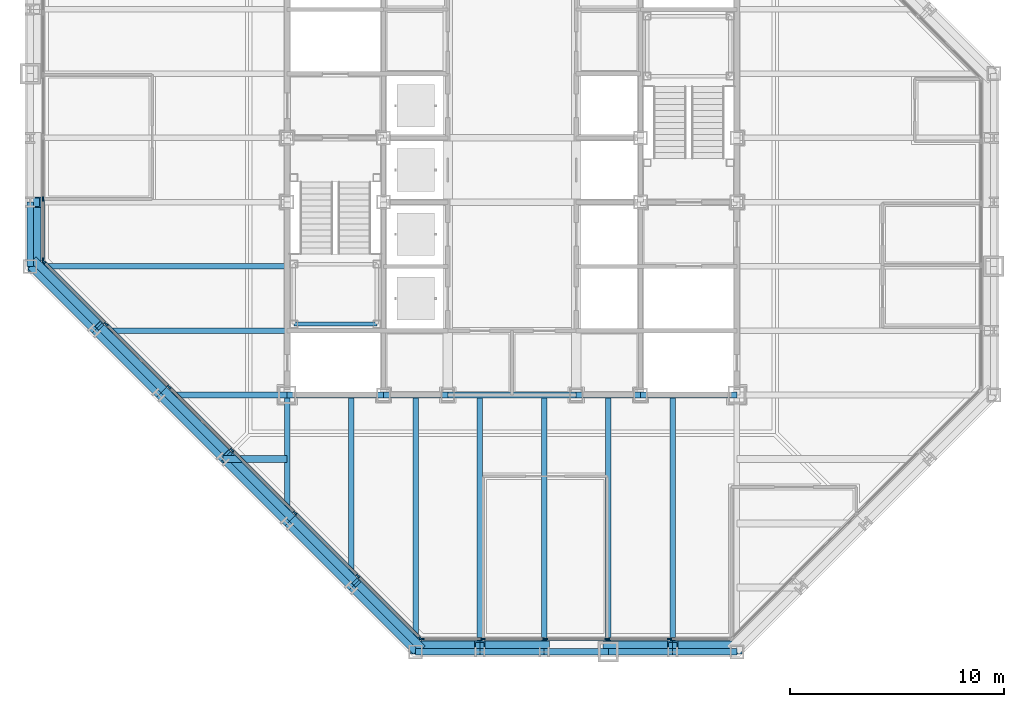
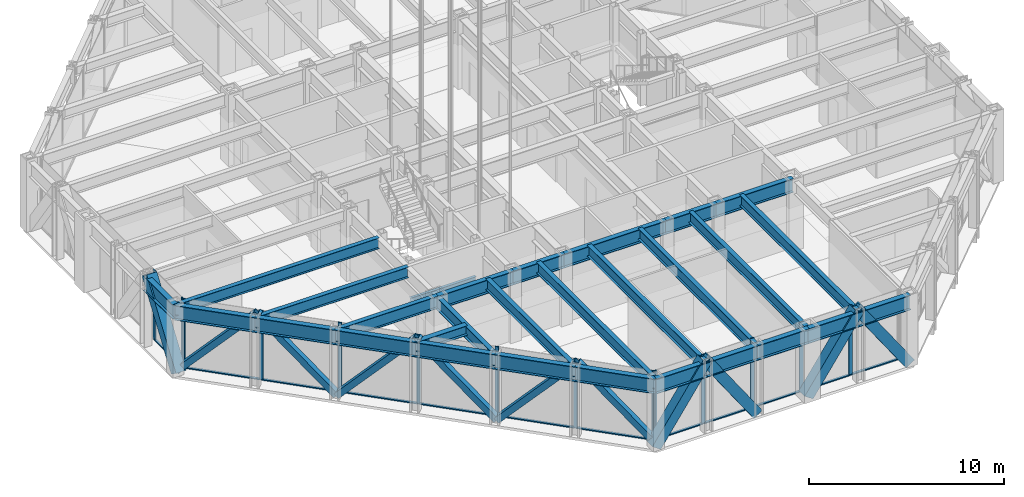
# One storey, part 4 of 24: 37 members, 29 beams, 3 elements without a shape of their own.
"""IFC4 building model written with IfcOpenShell, lengths in metres."""

import ifcopenshell
import ifcopenshell.guid

model = None  # the IFC model being written
_history = None  # IfcOwnerHistory: only IFC2X3 demands one
_inside = {}  # id of a spatial element -> (the spatial element, [elements in it])
_under = {}  # id of a project, library or spatial element -> (it, [spatial elements below it])
_declared = {}  # id of a project -> (the project, [libraries it declares])
_typed = {}  # id of a type object -> (the type object, [elements of that type])
_made_of = {}  # id of a material, layer set ... -> (it, [elements and type objects made of it])


def new_model(schema):
    """Start an empty IFC model of exactly this schema.

    Asked for "IFC4X3", IfcOpenShell would pick the latest addendum, in which some entities
    have other attributes; the version numbers below select the first issue.
    IFC2X3 requires an IfcOwnerHistory on every rooted entity: one is made here for all.
    """
    global model, _history
    if schema == "IFC4X3":
        model = ifcopenshell.file(schema_version=(4, 3, 0, 0))
    else:
        model = ifcopenshell.file(schema=schema)
    _inside.clear()
    _under.clear()
    _declared.clear()
    _typed.clear()
    _made_of.clear()
    _history = None
    if model.schema == "IFC2X3":
        org = make("IfcOrganization", Name="unknown")
        user = make(
            "IfcPersonAndOrganization",
            ThePerson=make("IfcPerson", FamilyName="unknown"),
            TheOrganization=org,
        )
        app = make(
            "IfcApplication",
            ApplicationDeveloper=org,
            Version="unknown",
            ApplicationFullName="unknown",
            ApplicationIdentifier="unknown",
        )
        _history = make(
            "IfcOwnerHistory",
            OwningUser=user,
            OwningApplication=app,
            ChangeAction="ADDED",
            CreationDate=0,
        )
    return model


def make(cls, **values):
    """One entity of the class cls with the attributes given. An attribute that is None is left unset."""
    return model.create_entity(
        cls, **{name: value for name, value in values.items() if value is not None}
    )


def rooted(cls, **values):
    """An entity with a GlobalId (a new one), such as an element, a storey or a relation."""
    return make(cls, GlobalId=ifcopenshell.guid.new(), OwnerHistory=_history, **values)


def si_unit(unit_type, name, prefix=None):
    """IfcSIUnit, for example si_unit("LENGTHUNIT", "METRE", prefix="MILLI")."""
    return make("IfcSIUnit", UnitType=unit_type, Prefix=prefix, Name=name)


def assignment(units):
    """IfcUnitAssignment: the units of a project."""
    return None if units is None else make("IfcUnitAssignment", Units=units)


def point(xyz):
    """IfcCartesianPoint."""
    return None if xyz is None else make("IfcCartesianPoint", Coordinates=xyz)


def direction(xyz):
    """IfcDirection."""
    return None if xyz is None else make("IfcDirection", DirectionRatios=xyz)


def frame(location, z_axis=None, x_axis=None):
    """IfcAxis2Placement3D, a coordinate frame: its origin and axes. An axis left out is left unset."""
    return make(
        "IfcAxis2Placement3D",
        Location=point(location),
        Axis=direction(z_axis),
        RefDirection=direction(x_axis),
    )


def frame_2d(location, x_axis=None):
    """IfcAxis2Placement2D, a coordinate frame in the plane: its origin and x axis."""
    return make(
        "IfcAxis2Placement2D", Location=point(location), RefDirection=direction(x_axis)
    )


def origin():
    """The frame at (0, 0, 0) with its axes left unset."""
    return frame((0.0, 0.0, 0.0))


def origin_2d():
    """The frame at (0, 0) in the plane with its x axis left unset."""
    return frame_2d((0.0, 0.0))


def place(relative_to, where):
    """IfcLocalPlacement: puts the frame where relative to a parent placement (None: the world)."""
    return make(
        "IfcLocalPlacement", PlacementRelTo=relative_to, RelativePlacement=where
    )


def context(
    kind, dimensions, precision=None, world=None, true_north=None, identifier=None
):
    """IfcGeometricRepresentationContext, for example the 3D "Model" context."""
    return make(
        "IfcGeometricRepresentationContext",
        ContextIdentifier=identifier,
        ContextType=kind,
        CoordinateSpaceDimension=dimensions,
        Precision=precision,
        WorldCoordinateSystem=world,
        TrueNorth=true_north,
    )


def subcontext(parent, identifier, kind, view, scale=None):
    """IfcGeometricRepresentationSubContext, for example "Body" below "Model"."""
    return make(
        "IfcGeometricRepresentationSubContext",
        ContextIdentifier=identifier,
        ContextType=kind,
        ParentContext=parent,
        TargetScale=scale,
        TargetView=view,
    )


def project(units=None, contexts=None):
    """IfcProject with its units and contexts."""
    return rooted(
        "IfcProject",
        Name="project",
        RepresentationContexts=contexts,
        UnitsInContext=assignment(units),
    )


def spatial(cls, under=None, at=None, **own):
    """A site, building, storey or space (cls), placed at a placement, below another one or the project."""
    s = rooted(cls, ObjectPlacement=at, **own)
    if under is not None:
        _under.setdefault(under.id(), (under, []))[1].append(s)
    return s


def profile(cls, at=None, kind="AREA", **sizes):
    """A parametric profile (cls). Its sizes go by their IFC names, for example OverallWidth=200.0."""
    return make(cls, ProfileType=kind, Position=at, **sizes)


def rectangle(**sizes):
    """IfcRectangleProfileDef."""
    return profile("IfcRectangleProfileDef", **sizes)


def hollow_rectangle(**sizes):
    """IfcRectangleHollowProfileDef."""
    return profile("IfcRectangleHollowProfileDef", **sizes)


def i_section(**sizes):
    """IfcIShapeProfileDef."""
    return profile("IfcIShapeProfileDef", **sizes)


def extrude(swept, where, along, depth):
    """IfcExtrudedAreaSolid: the profile swept, set in the frame where, extruded along a direction by depth."""
    return make(
        "IfcExtrudedAreaSolid",
        SweptArea=swept,
        Position=where,
        ExtrudedDirection=direction(along),
        Depth=depth,
    )


def shape(context_of_items, identifier, shape_type, items):
    """IfcShapeRepresentation: the items that make up one representation, for example the "Body"."""
    return make(
        "IfcShapeRepresentation",
        ContextOfItems=context_of_items,
        RepresentationIdentifier=identifier,
        RepresentationType=shape_type,
        Items=items,
    )


def material(Name=None, Category=None):
    """IfcMaterial."""
    return make("IfcMaterial", Name=Name, Category=Category)


def layer(
    of_material, thickness, ventilated=None, Name=None, Category=None, Priority=None
):
    """IfcMaterialLayer: one layer of a wall or slab, of a material (None: an air gap)."""
    return make(
        "IfcMaterialLayer",
        Material=of_material,
        LayerThickness=thickness,
        IsVentilated=ventilated,
        Name=Name,
        Category=Category,
        Priority=Priority,
    )


def layer_set(layers, Name=None):
    """IfcMaterialLayerSet."""
    return make("IfcMaterialLayerSet", MaterialLayers=layers, LayerSetName=Name)


def material_profile(
    of_material, cross_section, Name=None, Category=None, Priority=None
):
    """IfcMaterialProfile: a cross section and its material."""
    return make(
        "IfcMaterialProfile",
        Name=Name,
        Material=of_material,
        Profile=cross_section,
        Priority=Priority,
        Category=Category,
    )


def profile_set(profiles, Name=None, composite=None):
    """IfcMaterialProfileSet."""
    return make(
        "IfcMaterialProfileSet",
        Name=Name,
        MaterialProfiles=profiles,
        CompositeProfile=composite,
    )


def made_of(thing, what):
    """Note that an element or type object is made of a material, layer set ...; save() writes the relation."""
    if what is not None:
        _made_of.setdefault(what.id(), (what, []))[1].append(thing)
    return thing


def type_object(cls, material=None, **own):
    """A type object (cls), such as IfcWallType, which elements share."""
    return made_of(rooted(cls, **own), material)


def element(
    cls,
    number,
    at=None,
    inside=None,
    cuts=None,
    type_object=None,
    material=None,
    context=None,
    identifier="Body",
    shape_type=None,
    held_by="IfcProductDefinitionShape",
    body=None,
    shapes=None,
    **own,
):
    """One element of the class cls, such as IfcWall. Its Tag is "e" and its number.

    at: its placement. inside: the storey or other place that contains it. cuts: it is an
    opening in that element (IfcRelVoidsElement). A single representation is given by context,
    identifier, shape_type and body (its items); several are given by shapes. held_by: the class
    of the entity that holds the representations. save() writes the other relations.
    """
    e = rooted(cls, Tag="e%d" % number, ObjectPlacement=at, **own)
    if body is not None:
        shapes = [shape(context, identifier, shape_type, body)]
    if shapes is not None:
        e.Representation = make(held_by, Representations=shapes)
    if inside is not None:
        _inside.setdefault(inside.id(), (inside, []))[1].append(e)
    if cuts is not None:
        rooted(
            "IfcRelVoidsElement", RelatingBuildingElement=cuts, RelatedOpeningElement=e
        )
    if type_object is not None:
        _typed.setdefault(type_object.id(), (type_object, []))[1].append(e)
    return made_of(e, material)


def aggregate(whole, parts):
    """IfcRelAggregates: a whole, such as a stair, and the parts it consists of."""
    return rooted("IfcRelAggregates", RelatingObject=whole, RelatedObjects=parts)


def save(model, path):
    """Write the relations noted so far, then the file.

    IfcRelAggregates (storeys below a building ...), IfcRelContainedInSpatialStructure (elements
    in a storey), IfcRelDefinesByType, IfcRelAssociatesMaterial and IfcRelDeclares: one each for
    every whole, place, type object, material and project.
    """
    for whole, parts in _under.values():
        aggregate(whole, parts)
    for where, things in _inside.values():
        rooted(
            "IfcRelContainedInSpatialStructure",
            RelatedElements=things,
            RelatingStructure=where,
        )
    for kind, things in _typed.values():
        rooted("IfcRelDefinesByType", RelatedObjects=things, RelatingType=kind)
    for what, things in _made_of.values():
        rooted("IfcRelAssociatesMaterial", RelatedObjects=things, RelatingMaterial=what)
    for by, libraries in _declared.values():
        rooted("IfcRelDeclares", RelatingContext=by, RelatedDefinitions=libraries)
    model.write(path)


model = new_model("IFC4")

# Units and contexts
model_context = context("Model", 3, precision=1e-05, world=origin(), true_north=direction((0.0, 1.0)))
body_context = subcontext(model_context, "Body", "Model", "MODEL_VIEW")
ifc_project = project(units=[si_unit("LENGTHUNIT", "METRE"), si_unit("AREAUNIT", "SQUARE_METRE"), si_unit("VOLUMEUNIT", "CUBIC_METRE"), si_unit("PLANEANGLEUNIT", "RADIAN"), si_unit("MASSUNIT", "GRAM", prefix="KILO")], contexts=[model_context])

# Site, building, storey
site_placement = place(None, origin())
site = spatial("IfcSite", under=ifc_project, at=site_placement, CompositionType="ELEMENT")
building_placement = place(site_placement, origin())
building = spatial("IfcBuilding", under=site, at=building_placement, Name="Chuquiago Exchange Tower", CompositionType="ELEMENT")
storey_placement = place(building_placement, frame((0.0, 0.0, 180.0)))
storey = spatial("IfcBuildingStorey", under=building, at=storey_placement, Name="L39", CompositionType="ELEMENT", Elevation=180.0)

# Beams
ifc_material_1 = material(Name="Steel ASTM A992", Category="steel")
ifc_material_profile_1 = material_profile(ifc_material_1, i_section(OverallWidth=0.25390625, OverallDepth=0.683349609375, WebThickness=0.012451171875, FlangeThickness=0.018798828125, at=origin_2d()), Name="W27X94")
ifc_profile_set_1 = profile_set([ifc_material_profile_1], Name="Steel ASTM A992")
beam_type_1 = type_object("IfcBeamType", Name="B1 W27X94", PredefinedType="BEAM", material=ifc_profile_set_1)
beam_1_placement = place(storey_placement, frame((15.0, 12.0, 3.998291015625), z_axis=(0.0, -1.0, 0.0), x_axis=(1.0, 0.0, 0.0)))
element("IfcBeam", 1, at=beam_1_placement, inside=storey, type_object=beam_type_1, Name="FB-L40-infill-15_12-15_3-0", PredefinedType="BEAM", context=body_context, shape_type="SweptSolid", body=[
    extrude(i_section(OverallWidth=0.25390625, OverallDepth=0.683349609375, WebThickness=0.012451171875, FlangeThickness=0.018798828125, at=origin_2d()), origin(), (0.0, 0.0, 1.0), 9.0),
])
for number, where, z_axis, x_axis, name in (
    (2, (18.0, 12.0, 3.998291015625), (0.0, -1.0, 0.0), (1.0, 0.0, 0.0), "FB-L40-infill-18_12-18_-0-0"),
    (3, (21.0, 12.0, 3.998291015625), (0.0, -1.0, 0.0), (1.0, 0.0, 0.0), "FB-L40-infill-21_12-21_-0-0"),
    (4, (24.0, 12.0, 3.998291015625), (0.0, -1.0, 0.0), (1.0, 0.0, 0.0), "FB-L40-infill-24_12-24_-0-0"),
    (5, (27.0, 12.0, 3.998291015625), (0.0, -1.0, 0.0), (1.0, 0.0, 0.0), "FB-L40-infill-27_12-27_-0-0"),
    (6, (30.0, 12.0, 3.998291015625), (0.0, -1.0, 0.0), (1.0, 0.0, 0.0), "FB-L40-infill-30_12-30_-0-0"),
):
    element("IfcBeam", number, at=place(storey_placement, frame(where, z_axis=z_axis, x_axis=x_axis)), inside=storey, type_object=beam_type_1, Name=name, PredefinedType="BEAM", context=body_context, shape_type="SweptSolid", body=[
        extrude(i_section(OverallWidth=0.25390625, OverallDepth=0.683349609375, WebThickness=0.012451171875, FlangeThickness=0.018798828125, at=origin_2d()), origin(), (0.0, 0.0, 1.0), 12.0),
    ])
beam_2_placement = place(storey_placement, frame((12.0, 15.0, 3.998291015625), z_axis=(-1.0, 0.0, 0.0), x_axis=(0.0, -1.0, 0.0)))
element("IfcBeam", 7, at=beam_2_placement, inside=storey, type_object=beam_type_1, Name="FB-L40-infill-12_15-3_15-0", PredefinedType="BEAM", context=body_context, shape_type="SweptSolid", body=[
    extrude(i_section(OverallWidth=0.25390625, OverallDepth=0.683349609375, WebThickness=0.012451171875, FlangeThickness=0.018798828125, at=origin_2d()), origin(), (0.0, 0.0, 1.0), 9.0),
])
beam_3_placement = place(storey_placement, frame((12.0, 18.0, 3.998291015625), z_axis=(-1.0, 0.0, 0.0), x_axis=(0.0, -1.0, 0.0)))
element("IfcBeam", 8, at=beam_3_placement, inside=storey, type_object=beam_type_1, Name="FB-L40-infill-12_18--0_18-0", PredefinedType="BEAM", context=body_context, shape_type="SweptSolid", body=[
    extrude(i_section(OverallWidth=0.25390625, OverallDepth=0.683349609375, WebThickness=0.012451171875, FlangeThickness=0.018798828125, at=origin_2d()), origin(), (0.0, 0.0, 1.0), 12.0),
])
ifc_material_2 = material(Name="Steel ASTM A992", Category="steel")
ifc_material_profile_2 = material_profile(ifc_material_2, i_section(OverallWidth=0.3251953125, OverallDepth=0.612060546875, WebThickness=0.0126953125, FlangeThickness=0.01904296875, at=origin_2d()), Name="W24X104")
ifc_profile_set_2 = profile_set([ifc_material_profile_2], Name="Steel ASTM A992")
beam_type_2 = type_object("IfcBeamType", Name="B2 W24X104", PredefinedType="BEAM", material=ifc_profile_set_2)
beam_4_placement = place(storey_placement, frame((12.0, 9.0, 4.033935546875), z_axis=(-1.0, 0.0, 0.0), x_axis=(0.0, -1.0, 0.0)))
element("IfcBeam", 9, at=beam_4_placement, inside=storey, type_object=beam_type_2, Name="FB-L40-corner-12_9-9_9-0", PredefinedType="BEAM", context=body_context, shape_type="SweptSolid", body=[
    extrude(i_section(OverallWidth=0.3251953125, OverallDepth=0.612060546875, WebThickness=0.0126953125, FlangeThickness=0.01904296875, at=origin_2d()), origin(), (0.0, 0.0, 1.0), 3.0),
])
ifc_material_3 = material(Name="Steel ASTM A992", Category="steel")
ifc_material_profile_3 = material_profile(ifc_material_3, i_section(OverallWidth=0.2919921875, OverallDepth=0.8583984375, WebThickness=0.01708984375, FlangeThickness=0.031005859375, at=origin_2d()), Name="W33X169")
ifc_profile_set_3 = profile_set([ifc_material_profile_3], Name="Steel ASTM A992")
beam_type_3 = type_object("IfcBeamType", Name="B3 W33X169", PredefinedType="BEAM", material=ifc_profile_set_3)
beam_5_placement = place(storey_placement, frame((12.0, 12.0, 3.91064453125), z_axis=(1.0, 0.0, 0.0), x_axis=(0.0, 1.0, 0.0)))
element("IfcBeam", 10, at=beam_5_placement, inside=storey, type_object=beam_type_3, Name="CB-L40-12_12-16.5_12", PredefinedType="BEAM", context=body_context, shape_type="SweptSolid", body=[
    extrude(i_section(OverallWidth=0.2919921875, OverallDepth=0.8583984375, WebThickness=0.01708984375, FlangeThickness=0.031005859375, at=origin_2d()), origin(), (0.0, 0.0, 1.0), 4.5),
])
beam_6_placement = place(storey_placement, frame((16.5, 12.0, 3.91064453125), z_axis=(1.0, 0.0, 0.0), x_axis=(0.0, 1.0, 0.0)))
element("IfcBeam", 11, at=beam_6_placement, inside=storey, type_object=beam_type_3, Name="CB-L40-16.5_12-19.5_12", PredefinedType="BEAM", context=body_context, shape_type="SweptSolid", body=[
    extrude(i_section(OverallWidth=0.2919921875, OverallDepth=0.8583984375, WebThickness=0.01708984375, FlangeThickness=0.031005859375, at=origin_2d()), origin(), (0.0, 0.0, 1.0), 3.0),
])
beam_7_placement = place(storey_placement, frame((19.5, 12.0, 3.91064453125), z_axis=(1.0, 0.0, 0.0), x_axis=(0.0, 1.0, 0.0)))
element("IfcBeam", 12, at=beam_7_placement, inside=storey, type_object=beam_type_3, Name="CB-L40-19.5_12-25.5_12", PredefinedType="BEAM", context=body_context, shape_type="SweptSolid", body=[
    extrude(i_section(OverallWidth=0.2919921875, OverallDepth=0.8583984375, WebThickness=0.01708984375, FlangeThickness=0.031005859375, at=origin_2d()), origin(), (0.0, 0.0, 1.0), 6.0),
])
beam_8_placement = place(storey_placement, frame((25.5, 12.0, 3.91064453125), z_axis=(1.0, 0.0, 0.0), x_axis=(0.0, 1.0, 0.0)))
element("IfcBeam", 13, at=beam_8_placement, inside=storey, type_object=beam_type_3, Name="CB-L40-25.5_12-28.5_12", PredefinedType="BEAM", context=body_context, shape_type="SweptSolid", body=[
    extrude(i_section(OverallWidth=0.2919921875, OverallDepth=0.8583984375, WebThickness=0.01708984375, FlangeThickness=0.031005859375, at=origin_2d()), origin(), (0.0, 0.0, 1.0), 3.0),
])
beam_9_placement = place(storey_placement, frame((28.5, 12.0, 3.91064453125), z_axis=(1.0, 0.0, 0.0), x_axis=(0.0, 1.0, 0.0)))
element("IfcBeam", 14, at=beam_9_placement, inside=storey, type_object=beam_type_3, Name="CB-L40-28.5_12-33_12", PredefinedType="BEAM", context=body_context, shape_type="SweptSolid", body=[
    extrude(i_section(OverallWidth=0.2919921875, OverallDepth=0.8583984375, WebThickness=0.01708984375, FlangeThickness=0.031005859375, at=origin_2d()), origin(), (0.0, 0.0, 1.0), 4.5),
])

# Curtain wall, members
ifc_material_4 = material(Name="Aluminium curtain wall system", Category="aluminium")
ifc_layer_1 = layer(ifc_material_4, 0.22509765625)
ifc_layer_set_1 = layer_set([ifc_layer_1], Name="CW2 office curtain wall")
curtain_wall_type_1 = type_object("IfcCurtainWallType", Name="CW2 office curtain wall", PredefinedType="NOTDEFINED", material=ifc_layer_set_1)
curtain_wall_1_placement = place(storey_placement, origin())
curtain_wall_1 = element("IfcCurtainWall", 15, at=curtain_wall_1_placement, inside=storey, type_object=curtain_wall_type_1, Name="CW2 curtain wall L39", PredefinedType="NOTDEFINED")
ifc_material_5 = material(Name="Aluminium mullion, pale anodised", Category="aluminium")
ifc_material_profile_4 = material_profile(ifc_material_5, rectangle(XDim=0.06494140625, YDim=0.22509765625, at=origin_2d()), Name="AL 65x225")
ifc_profile_set_4 = profile_set([ifc_material_profile_4], Name="Aluminium mullion, pale anodised")
member_type_1 = type_object("IfcMemberType", Name="CW2-M mullion 65x225", PredefinedType="MULLION", material=ifc_profile_set_4)
member_1_placement = place(storey_placement, frame((18.281005859375, 0.60009765625, 0.0), z_axis=(0.0, 0.0, 1.0), x_axis=(0.0, 1.0, 0.0)))
member_1 = element("IfcMember", 16, at=member_1_placement, type_object=member_type_1, Name="CW2 mullion 1", PredefinedType="MULLION", context=body_context, shape_type="SweptSolid", body=[
    extrude(rectangle(XDim=0.06494140625, YDim=0.22509765625, at=origin_2d()), origin(), (0.0, 0.0, 1.0), 4.340087890625),
])
member_2_placement = place(storey_placement, frame((21.149169921875, 0.60009765625, 0.0), z_axis=(0.0, 0.0, 1.0), x_axis=(0.0, 1.0, 0.0)))
member_2 = element("IfcMember", 17, at=member_2_placement, type_object=member_type_1, Name="CW2 mullion 2", PredefinedType="MULLION", context=body_context, shape_type="SweptSolid", body=[
    extrude(rectangle(XDim=0.06494140625, YDim=0.22509765625, at=origin_2d()), origin(), (0.0, 0.0, 1.0), 4.340087890625),
])
member_3_placement = place(storey_placement, frame((24.0498046875, 0.60009765625, 0.0), z_axis=(0.0, 0.0, 1.0), x_axis=(0.0, 1.0, 0.0)))
member_3 = element("IfcMember", 18, at=member_3_placement, type_object=member_type_1, Name="CW2 mullion 3", PredefinedType="MULLION", context=body_context, shape_type="SweptSolid", body=[
    extrude(rectangle(XDim=0.06494140625, YDim=0.22509765625, at=origin_2d()), origin(), (0.0, 0.0, 1.0), 4.340087890625),
])
member_4_placement = place(storey_placement, frame((26.9501953125, 0.60009765625, 0.0), z_axis=(0.0, 0.0, 1.0), x_axis=(0.0, 1.0, 0.0)))
member_4 = element("IfcMember", 19, at=member_4_placement, type_object=member_type_1, Name="CW2 mullion 4", PredefinedType="MULLION", context=body_context, shape_type="SweptSolid", body=[
    extrude(rectangle(XDim=0.06494140625, YDim=0.22509765625, at=origin_2d()), origin(), (0.0, 0.0, 1.0), 4.340087890625),
])
member_5_placement = place(storey_placement, frame((29.850830078125, 0.60009765625, 0.0), z_axis=(0.0, 0.0, 1.0), x_axis=(0.0, 1.0, 0.0)))
member_5 = element("IfcMember", 20, at=member_5_placement, type_object=member_type_1, Name="CW2 mullion 5", PredefinedType="MULLION", context=body_context, shape_type="SweptSolid", body=[
    extrude(rectangle(XDim=0.06494140625, YDim=0.22509765625, at=origin_2d()), origin(), (0.0, 0.0, 1.0), 4.340087890625),
])

curtain_wall_2_placement = place(storey_placement, origin())
curtain_wall_2 = element("IfcCurtainWall", 21, at=curtain_wall_2_placement, inside=storey, type_object=curtain_wall_type_1, Name="CW2 curtain wall L39", PredefinedType="NOTDEFINED")
member_6_placement = place(storey_placement, frame((0.60009765625, 21.149169921875, 0.0), z_axis=(0.0, 0.0, 1.0), x_axis=(1.0, 0.0, 0.0)))
member_6 = element("IfcMember", 22, at=member_6_placement, type_object=member_type_1, Name="CW2 mullion 5", PredefinedType="MULLION", context=body_context, shape_type="SweptSolid", body=[
    extrude(rectangle(XDim=0.06494140625, YDim=0.22509765625, at=origin_2d()), origin(), (0.0, 0.0, 1.0), 4.340087890625),
])
member_7_placement = place(storey_placement, frame((0.60009765625, 18.281005859375, 0.0), z_axis=(0.0, 0.0, 1.0), x_axis=(1.0, 0.0, 0.0)))
member_7 = element("IfcMember", 23, at=member_7_placement, type_object=member_type_1, Name="CW2 mullion 6", PredefinedType="MULLION", context=body_context, shape_type="SweptSolid", body=[
    extrude(rectangle(XDim=0.06494140625, YDim=0.22509765625, at=origin_2d()), origin(), (0.0, 0.0, 1.0), 4.340087890625),
])

# Member
ifc_material_6 = material(Name="Aluminium transom, pale anodised", Category="aluminium")
ifc_material_profile_5 = material_profile(ifc_material_6, rectangle(XDim=0.139892578125, YDim=0.06494140625, at=origin_2d()), Name="AL 140x65")
ifc_profile_set_5 = profile_set([ifc_material_profile_5], Name="Aluminium transom, pale anodised")
member_type_2 = type_object("IfcMemberType", Name="CW2-T transom 65x140", PredefinedType="MULLION", material=ifc_profile_set_5)
member_8_placement = place(storey_placement, frame((18.3134765625, 0.60009765625, 0.032470703125), z_axis=(1.0, 0.0, 0.0), x_axis=(0.0, 1.0, 0.0)))
member_8 = element("IfcMember", 24, at=member_8_placement, type_object=member_type_2, Name="CW2 transom 1.1", PredefinedType="MULLION", context=body_context, shape_type="SweptSolid", body=[
    extrude(rectangle(XDim=0.139892578125, YDim=0.06494140625, at=origin_2d()), origin(), (0.0, 0.0, 1.0), 2.80322265625),
])

member_9_placement = place(storey_placement, frame((21.181640625, 0.60009765625, 0.032470703125), z_axis=(1.0, 0.0, 0.0), x_axis=(0.0, 1.0, 0.0)))
member_9 = element("IfcMember", 25, at=member_9_placement, type_object=member_type_2, Name="CW2 transom 2.1", PredefinedType="MULLION", context=body_context, shape_type="SweptSolid", body=[
    extrude(rectangle(XDim=0.139892578125, YDim=0.06494140625, at=origin_2d()), origin(), (0.0, 0.0, 1.0), 2.83544921875),
])

member_10_placement = place(storey_placement, frame((24.082275390625, 0.60009765625, 0.032470703125), z_axis=(1.0, 0.0, 0.0), x_axis=(0.0, 1.0, 0.0)))
member_10 = element("IfcMember", 26, at=member_10_placement, type_object=member_type_2, Name="CW2 transom 3.1", PredefinedType="MULLION", context=body_context, shape_type="SweptSolid", body=[
    extrude(rectangle(XDim=0.139892578125, YDim=0.06494140625, at=origin_2d()), origin(), (0.0, 0.0, 1.0), 2.83544921875),
])

member_11_placement = place(storey_placement, frame((26.98291015625, 0.60009765625, 0.032470703125), z_axis=(1.0, 0.0, 0.0), x_axis=(0.0, 1.0, 0.0)))
member_11 = element("IfcMember", 27, at=member_11_placement, type_object=member_type_2, Name="CW2 transom 4.1", PredefinedType="MULLION", context=body_context, shape_type="SweptSolid", body=[
    extrude(rectangle(XDim=0.139892578125, YDim=0.06494140625, at=origin_2d()), origin(), (0.0, 0.0, 1.0), 2.83544921875),
])

member_12_placement = place(storey_placement, frame((29.88330078125, 0.60009765625, 0.032470703125), z_axis=(1.0, 0.0, 0.0), x_axis=(0.0, 1.0, 0.0)))
member_12 = element("IfcMember", 28, at=member_12_placement, type_object=member_type_2, Name="CW2 transom 5.1", PredefinedType="MULLION", context=body_context, shape_type="SweptSolid", body=[
    extrude(rectangle(XDim=0.139892578125, YDim=0.06494140625, at=origin_2d()), origin(), (0.0, 0.0, 1.0), 2.80322265625),
])

aggregate(curtain_wall_1, [member_1, member_2, member_3, member_4, member_5, member_8, member_9, member_10, member_11, member_12])

member_13_placement = place(storey_placement, frame((0.60009765625, 21.11669921875, 0.032470703125), z_axis=(0.0, -1.0, 0.0), x_axis=(1.0, 0.0, 0.0)))
member_13 = element("IfcMember", 29, at=member_13_placement, type_object=member_type_2, Name="CW2 transom 5.1", PredefinedType="MULLION", context=body_context, shape_type="SweptSolid", body=[
    extrude(rectangle(XDim=0.139892578125, YDim=0.06494140625, at=origin_2d()), origin(), (0.0, 0.0, 1.0), 2.80322265625),
])

aggregate(curtain_wall_2, [member_6, member_7, member_13])

# Curtain wall, members
ifc_material_7 = material(Name="Aluminium curtain wall system", Category="aluminium")
ifc_layer_2 = layer(ifc_material_7, 0.199951171875)
ifc_layer_set_2 = layer_set([ifc_layer_2], Name="CW3 facet curtain wall")
curtain_wall_type_2 = type_object("IfcCurtainWallType", Name="CW3 facet curtain wall", PredefinedType="NOTDEFINED", material=ifc_layer_set_2)
curtain_wall_3_placement = place(storey_placement, origin())
curtain_wall_3 = element("IfcCurtainWall", 30, at=curtain_wall_3_placement, inside=storey, type_object=curtain_wall_type_2, Name="CW3 curtain wall L39", PredefinedType="NOTDEFINED")
ifc_material_8 = material(Name="Aluminium mullion, pale anodised", Category="aluminium")
ifc_material_profile_6 = material_profile(ifc_material_8, rectangle(XDim=0.06494140625, YDim=0.199951171875, at=origin_2d()), Name="AL 65x200")
ifc_profile_set_6 = profile_set([ifc_material_profile_6], Name="Aluminium mullion, pale anodised")
member_type_3 = type_object("IfcMemberType", Name="CW3-M mullion 65x200", PredefinedType="MULLION", material=ifc_profile_set_6)
member_14_placement = place(storey_placement, frame((0.623046875, 18.2255859375, 0.0), z_axis=(0.0, 0.0, 1.0), x_axis=(0.707106781187, 0.707106781187, 0.0)))
member_14 = element("IfcMember", 31, at=member_14_placement, type_object=member_type_3, Name="CW3 mullion 1", PredefinedType="MULLION", context=body_context, shape_type="SweptSolid", body=[
    extrude(rectangle(XDim=0.06494140625, YDim=0.199951171875, at=origin_2d()), origin(), (0.0, 0.0, 1.0), 4.340087890625),
])
member_15_placement = place(storey_placement, frame((3.54150390625, 15.30712890625, 0.0), z_axis=(0.0, 0.0, 1.0), x_axis=(0.707106781187, 0.707106781187, 0.0)))
member_15 = element("IfcMember", 32, at=member_15_placement, type_object=member_type_3, Name="CW3 mullion 2", PredefinedType="MULLION", context=body_context, shape_type="SweptSolid", body=[
    extrude(rectangle(XDim=0.06494140625, YDim=0.199951171875, at=origin_2d()), origin(), (0.0, 0.0, 1.0), 4.340087890625),
])
member_16_placement = place(storey_placement, frame((6.48291015625, 12.36572265625, 0.0), z_axis=(0.0, 0.0, 1.0), x_axis=(0.707106781187, 0.707106781187, 0.0)))
member_16 = element("IfcMember", 33, at=member_16_placement, type_object=member_type_3, Name="CW3 mullion 3", PredefinedType="MULLION", context=body_context, shape_type="SweptSolid", body=[
    extrude(rectangle(XDim=0.06494140625, YDim=0.199951171875, at=origin_2d()), origin(), (0.0, 0.0, 1.0), 4.340087890625),
])
member_17_placement = place(storey_placement, frame((9.42431640625, 9.42431640625, 0.0), z_axis=(0.0, 0.0, 1.0), x_axis=(0.707106781187, 0.707106781187, 0.0)))
member_17 = element("IfcMember", 34, at=member_17_placement, type_object=member_type_3, Name="CW3 mullion 4", PredefinedType="MULLION", context=body_context, shape_type="SweptSolid", body=[
    extrude(rectangle(XDim=0.06494140625, YDim=0.199951171875, at=origin_2d()), origin(), (0.0, 0.0, 1.0), 4.340087890625),
])
member_18_placement = place(storey_placement, frame((12.36572265625, 6.48291015625, 0.0), z_axis=(0.0, 0.0, 1.0), x_axis=(0.707106781187, 0.707106781187, 0.0)))
member_18 = element("IfcMember", 35, at=member_18_placement, type_object=member_type_3, Name="CW3 mullion 5", PredefinedType="MULLION", context=body_context, shape_type="SweptSolid", body=[
    extrude(rectangle(XDim=0.06494140625, YDim=0.199951171875, at=origin_2d()), origin(), (0.0, 0.0, 1.0), 4.340087890625),
])
member_19_placement = place(storey_placement, frame((15.30712890625, 3.54150390625, 0.0), z_axis=(0.0, 0.0, 1.0), x_axis=(0.707106781187, 0.707106781187, 0.0)))
member_19 = element("IfcMember", 36, at=member_19_placement, type_object=member_type_3, Name="CW3 mullion 6", PredefinedType="MULLION", context=body_context, shape_type="SweptSolid", body=[
    extrude(rectangle(XDim=0.06494140625, YDim=0.199951171875, at=origin_2d()), origin(), (0.0, 0.0, 1.0), 4.340087890625),
])
member_20_placement = place(storey_placement, frame((18.2255859375, 0.623046875, 0.0), z_axis=(0.0, 0.0, 1.0), x_axis=(0.707106781187, 0.707106781187, 0.0)))
member_20 = element("IfcMember", 37, at=member_20_placement, type_object=member_type_3, Name="CW3 mullion 7", PredefinedType="MULLION", context=body_context, shape_type="SweptSolid", body=[
    extrude(rectangle(XDim=0.06494140625, YDim=0.199951171875, at=origin_2d()), origin(), (0.0, 0.0, 1.0), 4.340087890625),
])
ifc_material_9 = material(Name="Aluminium transom, pale anodised", Category="aluminium")
ifc_material_profile_7 = material_profile(ifc_material_9, rectangle(XDim=0.139892578125, YDim=0.06494140625, at=origin_2d()), Name="AL 140x65")
ifc_profile_set_7 = profile_set([ifc_material_profile_7], Name="Aluminium transom, pale anodised")
member_type_4 = type_object("IfcMemberType", Name="CW3-T transom 65x140", PredefinedType="MULLION", material=ifc_profile_set_7)
member_21_placement = place(storey_placement, frame((0.64599609375, 18.20263671875, 0.032470703125), z_axis=(0.707106781187, -0.707106781187, 0.0), x_axis=(0.707106781187, 0.707106781187, 0.0)))
member_21 = element("IfcMember", 38, at=member_21_placement, type_object=member_type_4, Name="CW3 transom 1.1", PredefinedType="MULLION", context=body_context, shape_type="SweptSolid", body=[
    extrude(rectangle(XDim=0.139892578125, YDim=0.06494140625, at=origin_2d()), origin(), (0.0, 0.0, 1.0), 4.0625),
])
member_22_placement = place(storey_placement, frame((3.564453125, 15.2841796875, 0.032470703125), z_axis=(0.707106781187, -0.707106781187, 0.0), x_axis=(0.707106781187, 0.707106781187, 0.0)))
member_22 = element("IfcMember", 39, at=member_22_placement, type_object=member_type_4, Name="CW3 transom 2.1", PredefinedType="MULLION", context=body_context, shape_type="SweptSolid", body=[
    extrude(rectangle(XDim=0.139892578125, YDim=0.06494140625, at=origin_2d()), origin(), (0.0, 0.0, 1.0), 4.094970703125),
])
member_23_placement = place(storey_placement, frame((6.505859375, 12.3427734375, 0.032470703125), z_axis=(0.707106781187, -0.707106781187, 0.0), x_axis=(0.707106781187, 0.707106781187, 0.0)))
member_23 = element("IfcMember", 40, at=member_23_placement, type_object=member_type_4, Name="CW3 transom 3.1", PredefinedType="MULLION", context=body_context, shape_type="SweptSolid", body=[
    extrude(rectangle(XDim=0.139892578125, YDim=0.06494140625, at=origin_2d()), origin(), (0.0, 0.0, 1.0), 4.094970703125),
])
member_24_placement = place(storey_placement, frame((9.447265625, 9.4013671875, 0.032470703125), z_axis=(0.707106781187, -0.707106781187, 0.0), x_axis=(0.707106781187, 0.707106781187, 0.0)))
member_24 = element("IfcMember", 41, at=member_24_placement, type_object=member_type_4, Name="CW3 transom 4.1", PredefinedType="MULLION", context=body_context, shape_type="SweptSolid", body=[
    extrude(rectangle(XDim=0.139892578125, YDim=0.06494140625, at=origin_2d()), origin(), (0.0, 0.0, 1.0), 4.094970703125),
])
member_25_placement = place(storey_placement, frame((12.388671875, 6.4599609375, 0.032470703125), z_axis=(0.707106781187, -0.707106781187, 0.0), x_axis=(0.707106781187, 0.707106781187, 0.0)))
member_25 = element("IfcMember", 42, at=member_25_placement, type_object=member_type_4, Name="CW3 transom 5.1", PredefinedType="MULLION", context=body_context, shape_type="SweptSolid", body=[
    extrude(rectangle(XDim=0.139892578125, YDim=0.06494140625, at=origin_2d()), origin(), (0.0, 0.0, 1.0), 4.094970703125),
])
member_26_placement = place(storey_placement, frame((15.330078125, 3.5185546875, 0.032470703125), z_axis=(0.707106781187, -0.707106781187, 0.0), x_axis=(0.707106781187, 0.707106781187, 0.0)))
member_26 = element("IfcMember", 43, at=member_26_placement, type_object=member_type_4, Name="CW3 transom 6.1", PredefinedType="MULLION", context=body_context, shape_type="SweptSolid", body=[
    extrude(rectangle(XDim=0.139892578125, YDim=0.06494140625, at=origin_2d()), origin(), (0.0, 0.0, 1.0), 4.0625),
])
aggregate(curtain_wall_3, [member_14, member_15, member_16, member_17, member_18, member_19, member_20, member_21, member_22, member_23, member_24, member_25, member_26])

# Beams
ifc_material_10 = material(Name="Steel ASTM A992", Category="steel")
ifc_material_profile_8 = material_profile(ifc_material_10, i_section(OverallWidth=0.2666015625, OverallDepth=0.76953125, WebThickness=0.015625, FlangeThickness=0.025390625, at=origin_2d()), Name="W30X132")
ifc_profile_set_8 = profile_set([ifc_material_profile_8], Name="Steel ASTM A992")
beam_type_4 = type_object("IfcBeamType", Name="G1 W30X132", PredefinedType="BEAM", material=ifc_profile_set_8)
for number, where, z_axis, x_axis, name in (
    (44, (12.0, 12.0, 3.955078125), (0.0, -1.0, 0.0), (1.0, 0.0, 0.0), "FB-L40-girder-12_12-12_6-0"),
    (45, (12.0, 12.0, 3.955078125), (-1.0, 0.0, 0.0), (0.0, -1.0, 0.0), "FB-L40-girder-12_12-6_12-0"),
):
    element("IfcBeam", number, at=place(storey_placement, frame(where, z_axis=z_axis, x_axis=x_axis)), inside=storey, type_object=beam_type_4, Name=name, PredefinedType="BEAM", context=body_context, shape_type="SweptSolid", body=[
        extrude(i_section(OverallWidth=0.2666015625, OverallDepth=0.76953125, WebThickness=0.015625, FlangeThickness=0.025390625, at=origin_2d()), origin(), (0.0, 0.0, 1.0), 6.0),
    ])

# Members
ifc_material_11 = material(Name="Steel ASTM A500 Grade C", Category="steel")
ifc_material_profile_9 = material_profile(ifc_material_11, hollow_rectangle(XDim=0.355712890625, YDim=0.355712890625, WallThickness=0.0146484375, at=origin_2d()), Name="HSS14X14X5/8")
ifc_profile_set_9 = profile_set([ifc_material_profile_9], Name="Steel ASTM A500 Grade C")
member_type_5 = type_object("IfcMemberType", Name="LB2 HSS14X14X5/8", PredefinedType="BRACE", material=ifc_profile_set_9)
for number, where, z_axis, x_axis, name in (
    (46, (0.2314453125, 18.2314453125, 0.0), (0.494291205278, -0.494291205278, 0.715089091491), (0.707106781187, 0.707106781187, 0.0), "LB-L39-0_18-3_15"),
    (47, (6.2314453125, 12.2314453125, 0.0), (-0.494291205278, 0.494291205278, 0.715089091491), (-0.707106781187, -0.707106781187, 0.0), "LB-L39-3_15-6_12"),
    (48, (6.2314453125, 12.2314453125, 0.0), (0.494291205278, -0.494291205278, 0.715089091491), (0.707106781187, 0.707106781187, 0.0), "LB-L39-6_12-9_9"),
    (49, (12.2314453125, 6.2314453125, 0.0), (-0.494291205278, 0.494291205278, 0.715089091491), (-0.707106781187, -0.707106781187, 0.0), "LB-L39-9_9-12_6"),
    (50, (12.2314453125, 6.2314453125, 0.0), (0.494291205278, -0.494291205278, 0.715089091491), (0.707106781187, 0.707106781187, 0.0), "LB-L39-12_6-15_3"),
    (51, (18.2314453125, 0.2314453125, 0.0), (-0.494291205278, 0.494291205278, 0.715089091491), (-0.707106781187, -0.707106781187, 0.0), "LB-L39-15_3-18_0"),
):
    element("IfcMember", number, at=place(storey_placement, frame(where, z_axis=z_axis, x_axis=x_axis)), inside=storey, type_object=member_type_5, Name=name, PredefinedType="BRACE", context=body_context, shape_type="SweptSolid", body=[
        extrude(hollow_rectangle(XDim=0.355712890625, YDim=0.355712890625, WallThickness=0.0146484375, at=origin_2d()), origin(), (0.0, 0.0, 1.0), 6.0693359375),
    ])

# Beam
ifc_material_12 = material(Name="Steel ASTM A992", Category="steel")
ifc_material_profile_10 = material_profile(ifc_material_12, i_section(OverallWidth=0.164794921875, OverallDepth=0.309814453125, WebThickness=0.005859375, FlangeThickness=0.009765625, at=origin_2d()), Name="W12X26")
ifc_profile_set_10 = profile_set([ifc_material_profile_10], Name="Steel ASTM A992")
beam_type_5 = type_object("IfcBeamType", Name="LT1 W12X26", PredefinedType="BEAM", material=ifc_profile_set_10)
beam_10_placement = place(storey_placement, frame((12.31005859375, 15.31005859375, 1.89501953125), z_axis=(1.0, 0.0, 0.0), x_axis=(0.0, 1.0, 0.0)))
element("IfcBeam", 52, at=beam_10_placement, inside=storey, type_object=beam_type_5, Name="Stair ST1 L39 landing 1 trimmer", PredefinedType="BEAM", context=body_context, shape_type="SweptSolid", body=[
    extrude(i_section(OverallWidth=0.164794921875, OverallDepth=0.309814453125, WebThickness=0.005859375, FlangeThickness=0.009765625, at=origin_2d()), origin(), (0.0, 0.0, 1.0), 3.8798828125),
])

# Members
ifc_material_13 = material(Name="Steel ASTM A572 Grade 50", Category="steel")
ifc_material_profile_11 = material_profile(ifc_material_13, hollow_rectangle(XDim=0.60009765625, YDim=0.60009765625, WallThickness=0.06005859375, at=origin_2d()), Name="BOX600X600X60")
ifc_profile_set_11 = profile_set([ifc_material_profile_11], Name="Steel ASTM A572 Grade 50")
member_type_6 = type_object("IfcMemberType", Name="MB3 BOX600X600X60", PredefinedType="BRACE", material=ifc_profile_set_11)
for number, where, z_axis, x_axis, name in (
    (53, (18.0, 0.205078125, 0.0), (0.568610676405, 0.0, 0.822606770382), (0.0, 1.0, 0.0), "Mega diagonal L39 S face"),
    (54, (24.0, 0.205078125, 0.0), (-0.568610676405, 0.0, 0.822606770382), (0.0, -1.0, 0.0), "Mega diagonal L39 S face"),
    (55, (27.0, 0.205078125, 0.0), (0.568610676405, 0.0, 0.822606770382), (0.0, 1.0, 0.0), "Mega diagonal L39 S face"),
    (56, (33.0, 0.205078125, 0.0), (-0.568610676405, 0.0, 0.822606770382), (0.0, -1.0, 0.0), "Mega diagonal L39 S face"),
    (57, (0.205078125, 18.0, 0.0), (0.0, 0.568610676405, 0.822606770382), (-1.0, 0.0, 0.0), "Mega diagonal L39 W face"),
):
    element("IfcMember", number, at=place(storey_placement, frame(where, z_axis=z_axis, x_axis=x_axis)), inside=storey, type_object=member_type_6, Name=name, PredefinedType="BRACE", context=body_context, shape_type="SweptSolid", body=[
        extrude(hollow_rectangle(XDim=0.60009765625, YDim=0.60009765625, WallThickness=0.06005859375, at=origin_2d()), origin(), (0.0, 0.0, 1.0), 5.276123046875),
    ])

# Beams
ifc_material_14 = material(Name="Steel ASTM A992", Category="steel")
ifc_material_profile_12 = material_profile(ifc_material_14, i_section(OverallWidth=0.307373046875, OverallDepth=0.927001953125, WebThickness=0.01953125, FlangeThickness=0.031982421875, at=origin_2d()), Name="W36X194")
ifc_profile_set_12 = profile_set([ifc_material_profile_12], Name="Steel ASTM A992")
beam_type_6 = type_object("IfcBeamType", Name="SP3 W36X194", PredefinedType="SPANDREL", material=ifc_profile_set_12)
for number, where, z_axis, x_axis, name in (
    (58, (18.0, 0.0, 3.87646484375), (1.0, 0.0, 0.0), (0.0, 1.0, 0.0), "SPB-L40-18_0-21_0"),
    (59, (21.0, 0.0, 3.87646484375), (1.0, 0.0, 0.0), (0.0, 1.0, 0.0), "SPB-L40-21_0-24_0"),
    (60, (24.0, 0.0, 3.87646484375), (1.0, 0.0, 0.0), (0.0, 1.0, 0.0), "SPB-L40-24_0-27_0"),
    (61, (27.0, 0.0, 3.87646484375), (1.0, 0.0, 0.0), (0.0, 1.0, 0.0), "SPB-L40-27_0-30_0"),
    (62, (30.0, 0.0, 3.87646484375), (1.0, 0.0, 0.0), (0.0, 1.0, 0.0), "SPB-L40-30_0-33_0"),
    (63, (0.0, 21.0, 3.87646484375), (0.0, -1.0, 0.0), (1.0, 0.0, 0.0), "SPB-L40-0_21-0_18"),
):
    element("IfcBeam", number, at=place(storey_placement, frame(where, z_axis=z_axis, x_axis=x_axis)), inside=storey, type_object=beam_type_6, Name=name, PredefinedType="SPANDREL", context=body_context, shape_type="SweptSolid", body=[
        extrude(i_section(OverallWidth=0.307373046875, OverallDepth=0.927001953125, WebThickness=0.01953125, FlangeThickness=0.031982421875, at=origin_2d()), origin(), (0.0, 0.0, 1.0), 3.0),
    ])
for number, where, z_axis, x_axis, name in (
    (64, (0.0, 18.0, 3.87646484375), (0.707106781187, -0.707106781187, 0.0), (0.707106781187, 0.707106781187, 0.0), "SPB-L40-0_18-3_15"),
    (65, (3.0, 15.0, 3.87646484375), (0.707106781187, -0.707106781187, 0.0), (0.707106781187, 0.707106781187, 0.0), "SPB-L40-3_15-6_12"),
    (66, (6.0, 12.0, 3.87646484375), (0.707106781187, -0.707106781187, 0.0), (0.707106781187, 0.707106781187, 0.0), "SPB-L40-6_12-9_9"),
    (67, (9.0, 9.0, 3.87646484375), (0.707106781187, -0.707106781187, 0.0), (0.707106781187, 0.707106781187, 0.0), "SPB-L40-9_9-12_6"),
    (68, (12.0, 6.0, 3.87646484375), (0.707106781187, -0.707106781187, 0.0), (0.707106781187, 0.707106781187, 0.0), "SPB-L40-12_6-15_3"),
    (69, (15.0, 3.0, 3.87646484375), (0.707106781187, -0.707106781187, 0.0), (0.707106781187, 0.707106781187, 0.0), "SPB-L40-15_3-18_0"),
):
    element("IfcBeam", number, at=place(storey_placement, frame(where, z_axis=z_axis, x_axis=x_axis)), inside=storey, type_object=beam_type_6, Name=name, PredefinedType="SPANDREL", context=body_context, shape_type="SweptSolid", body=[
        extrude(i_section(OverallWidth=0.307373046875, OverallDepth=0.927001953125, WebThickness=0.01953125, FlangeThickness=0.031982421875, at=origin_2d()), origin(), (0.0, 0.0, 1.0), 4.24267578125),
    ])

save(model, "model.ifc")
